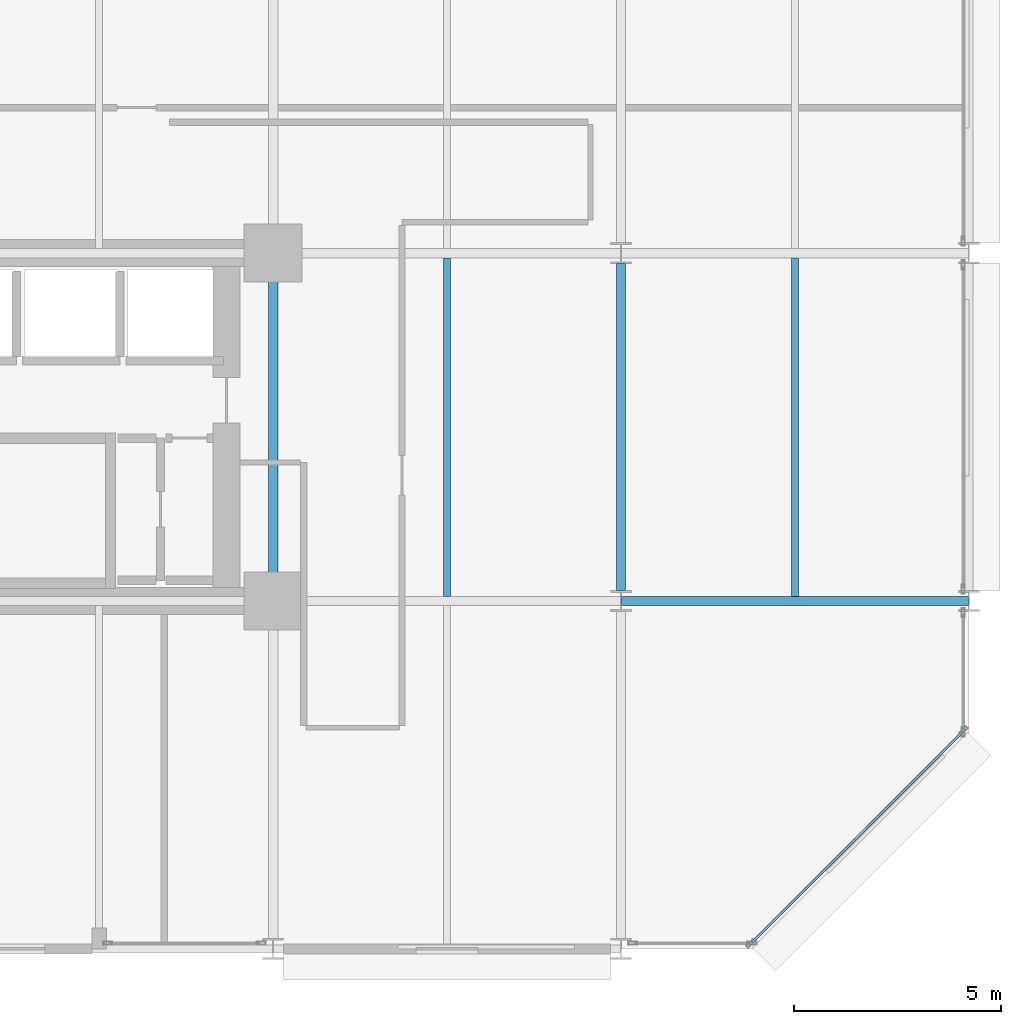
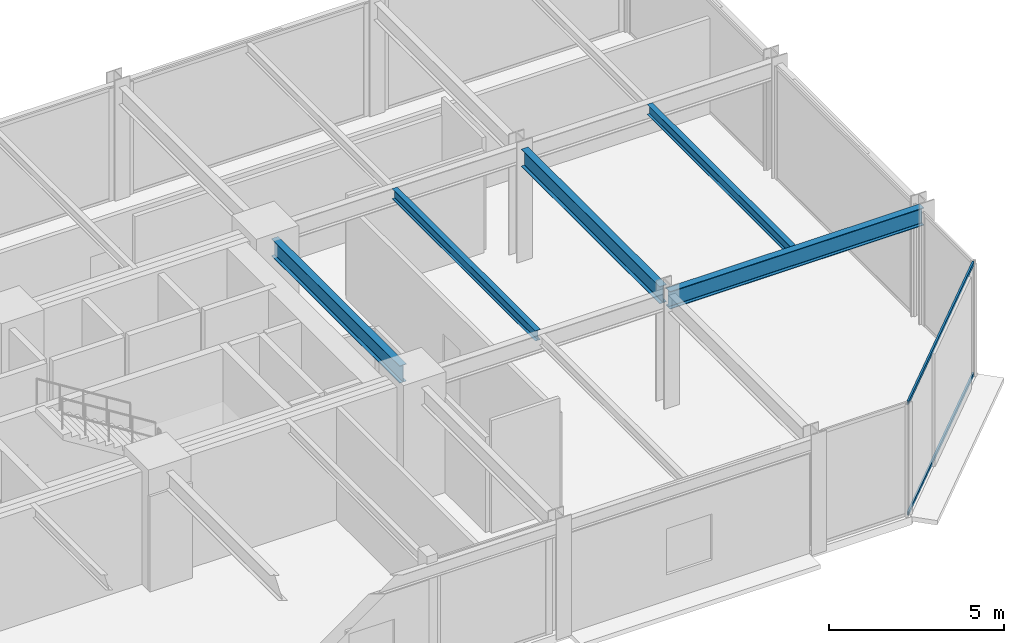
# One storey, part 10 of 25: 5 beams, 2 members, 1 element without a shape of its own.
"""IFC4 building model written with IfcOpenShell, lengths in metres."""

from ifc_helpers import new_model, si_unit, direction, frame, origin, origin_2d, place, context, subcontext, project, spatial, hollow_rectangle, i_section, extrude, material, layer, layer_set, material_profile, profile_set, type_object, element, aggregate, save


model = new_model("IFC4")

# Units and contexts
model_context = context("Model", 3, precision=1e-05, world=origin(), true_north=direction((0.0, 1.0)))
body_context = subcontext(model_context, "Body", "Model", "MODEL_VIEW")
ifc_project = project(units=[si_unit("LENGTHUNIT", "METRE"), si_unit("AREAUNIT", "SQUARE_METRE"), si_unit("VOLUMEUNIT", "CUBIC_METRE"), si_unit("PLANEANGLEUNIT", "RADIAN"), si_unit("MASSUNIT", "GRAM", prefix="KILO")], contexts=[model_context])

# Site, building, storey
site_placement = place(None, origin())
site = spatial("IfcSite", under=ifc_project, at=site_placement, CompositionType="ELEMENT")
building_placement = place(site_placement, origin())
building = spatial("IfcBuilding", under=site, at=building_placement, Name="Nerrivon Quay Data Exchange", CompositionType="ELEMENT")
storey_placement = place(building_placement, frame((0.0, 0.0, 54.199951171875)))
storey = spatial("IfcBuildingStorey", under=building, at=storey_placement, Name="L12", CompositionType="ELEMENT", Elevation=54.199951171875)

# Beams
ifc_material_1 = material(Name="Steel Grade 350", Category="steel")
ifc_material_profile_1 = material_profile(ifc_material_1, i_section(OverallWidth=0.22900390625, OverallDepth=0.612060546875, WebThickness=0.011962890625, FlangeThickness=0.01953125, FilletRadius=0.013916015625, at=origin_2d()), Name="610UB125")
ifc_profile_set_1 = profile_set([ifc_material_profile_1], Name="Steel Grade 350")
beam_type_1 = type_object("IfcBeamType", Name="BM-G1-610UB125", PredefinedType="BEAM", material=ifc_profile_set_1)
beam_1_placement = place(storey_placement, frame((42.013916015625, 8.39990234375, 3.619140625), z_axis=(1.0, 0.0, 0.0), x_axis=(0.0, 1.0, 0.0)))
element("IfcBeam", 1, at=beam_1_placement, inside=storey, type_object=beam_type_1, Name="L12 EW Girder Y=8.4 (42.0..50.4)", PredefinedType="BEAM", context=body_context, shape_type="SweptSolid", body=[
    extrude(i_section(OverallWidth=0.22900390625, OverallDepth=0.612060546875, WebThickness=0.011962890625, FlangeThickness=0.01953125, FilletRadius=0.013916015625, at=origin_2d()), origin(), (0.0, 0.0, 1.0), 8.3720703125),
])
ifc_material_profile_2 = material_profile(ifc_material_1, i_section(OverallWidth=0.22802734375, OverallDepth=0.60205078125, WebThickness=0.010498046875, FlangeThickness=0.014892578125, FilletRadius=0.013916015625, at=origin_2d()), Name="610UB101")
ifc_profile_set_2 = profile_set([ifc_material_profile_2], Name="Steel Grade 350")
beam_type_2 = type_object("IfcBeamType", Name="BM-G2-610UB101", PredefinedType="BEAM", material=ifc_profile_set_2)
beam_2_placement = place(storey_placement, frame((33.60009765625, 8.93994140625, 3.6240234375), z_axis=(0.0, 1.0, 0.0), x_axis=(-1.0, 0.0, 0.0)))
element("IfcBeam", 2, at=beam_2_placement, inside=storey, type_object=beam_type_2, Name="L12 NS Girder X=33.6 (8.4..16.8)", PredefinedType="BEAM", context=body_context, shape_type="SweptSolid", body=[
    extrude(i_section(OverallWidth=0.22802734375, OverallDepth=0.60205078125, WebThickness=0.010498046875, FlangeThickness=0.014892578125, FilletRadius=0.013916015625, at=origin_2d()), origin(), (0.0, 0.0, 1.0), 7.320068359375),
])
beam_3_placement = place(storey_placement, frame((42.0, 8.64990234375, 3.6240234375), z_axis=(0.0, 1.0, 0.0), x_axis=(-1.0, 0.0, 0.0)))
element("IfcBeam", 3, at=beam_3_placement, inside=storey, type_object=beam_type_2, Name="L12 NS Girder X=42.0 (8.4..16.8)", PredefinedType="BEAM", context=body_context, shape_type="SweptSolid", body=[
    extrude(i_section(OverallWidth=0.22802734375, OverallDepth=0.60205078125, WebThickness=0.010498046875, FlangeThickness=0.014892578125, FilletRadius=0.013916015625, at=origin_2d()), origin(), (0.0, 0.0, 1.0), 7.900146484375),
])
ifc_material_profile_3 = material_profile(ifc_material_1, i_section(OverallWidth=0.172119140625, OverallDepth=0.35888671875, WebThickness=0.008056640625, FlangeThickness=0.012939453125, FilletRadius=0.011474609375, at=origin_2d()), Name="360UB56.7")
ifc_profile_set_3 = profile_set([ifc_material_profile_3], Name="Steel Grade 350")
beam_type_3 = type_object("IfcBeamType", Name="BM-J3-360UB57", PredefinedType="JOIST", material=ifc_profile_set_3)
for number, where, z_axis, x_axis, name in (
    (4, (37.800048828125, 8.514404296875, 3.74560546875), (0.0, 1.0, 0.0), (-1.0, 0.0, 0.0), "L12 Secondary Joist X=37.8 (8.4..16.8)"),
    (5, (46.199951171875, 8.514404296875, 3.74560546875), (0.0, 1.0, 0.0), (-1.0, 0.0, 0.0), "L12 Secondary Joist X=46.2 (8.4..16.8)"),
):
    element("IfcBeam", number, at=place(storey_placement, frame(where, z_axis=z_axis, x_axis=x_axis)), inside=storey, type_object=beam_type_3, Name=name, PredefinedType="JOIST", context=body_context, shape_type="SweptSolid", body=[
        extrude(i_section(OverallWidth=0.172119140625, OverallDepth=0.35888671875, WebThickness=0.008056640625, FlangeThickness=0.012939453125, FilletRadius=0.011474609375, at=origin_2d()), origin(), (0.0, 0.0, 1.0), 8.171142578125),
    ])

# Curtain wall, members
ifc_material_2 = material(Name="Anodised aluminium 6063-T6", Category="aluminium")
ifc_layer = layer(ifc_material_2, 0.219970703125)
ifc_layer_set = layer_set([ifc_layer], Name="Anodised aluminium 6063-T6")
curtain_wall_type = type_object("IfcCurtainWallType", Name="CW-SYS-01", PredefinedType="NOTDEFINED", material=ifc_layer_set)
curtain_wall_placement = place(storey_placement, origin())
curtain_wall = element("IfcCurtainWall", 6, at=curtain_wall_placement, inside=storey, type_object=curtain_wall_type, Name="L12 Unitised Curtain Wall 1", PredefinedType="NOTDEFINED")
ifc_material_profile_4 = material_profile(ifc_material_2, hollow_rectangle(XDim=0.06005859375, YDim=0.1201171875, WallThickness=0.003173828125, at=origin_2d()), Name="ALU-TRAN-120x60")
ifc_profile_set_4 = profile_set([ifc_material_profile_4], Name="Anodised aluminium 6063-T6")
member_type = type_object("IfcMemberType", Name="CWT-120x60", PredefinedType="USERDEFINED", material=ifc_profile_set_4)
member_1_placement = place(storey_placement, frame((50.248046875, 5.245849609375, 0.032470703125), z_axis=(-0.707123726196, -0.707089835771, 0.0), x_axis=(0.707089835771, -0.707123726196, 0.0)))
member_1 = element("IfcMember", 7, at=member_1_placement, type_object=member_type, Name="CW01 transom 1.1", ObjectType="TRANSOM", PredefinedType="USERDEFINED", context=body_context, shape_type="SweptSolid", body=[
    extrude(hollow_rectangle(XDim=0.06005859375, YDim=0.1201171875, WallThickness=0.003173828125, at=origin_2d()), origin(), (0.0, 0.0, 1.0), 7.203857421875),
])
member_2_placement = place(storey_placement, frame((50.248046875, 5.245849609375, 3.892578125), z_axis=(-0.707123726196, -0.707089835771, 0.0), x_axis=(0.707089835771, -0.707123726196, 0.0)))
member_2 = element("IfcMember", 8, at=member_2_placement, type_object=member_type, Name="CW01 transom 1.2", ObjectType="TRANSOM", PredefinedType="USERDEFINED", context=body_context, shape_type="SweptSolid", body=[
    extrude(hollow_rectangle(XDim=0.06005859375, YDim=0.1201171875, WallThickness=0.003173828125, at=origin_2d()), origin(), (0.0, 0.0, 1.0), 7.203857421875),
])
aggregate(curtain_wall, [member_1, member_2])

save(model, "model.ifc")
